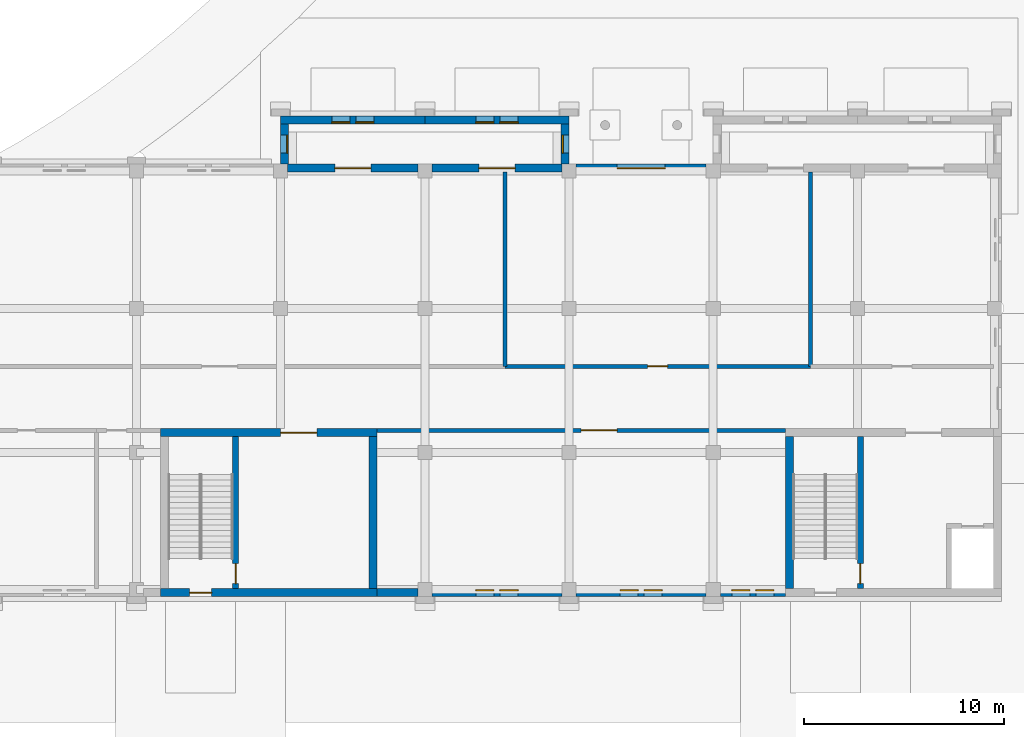
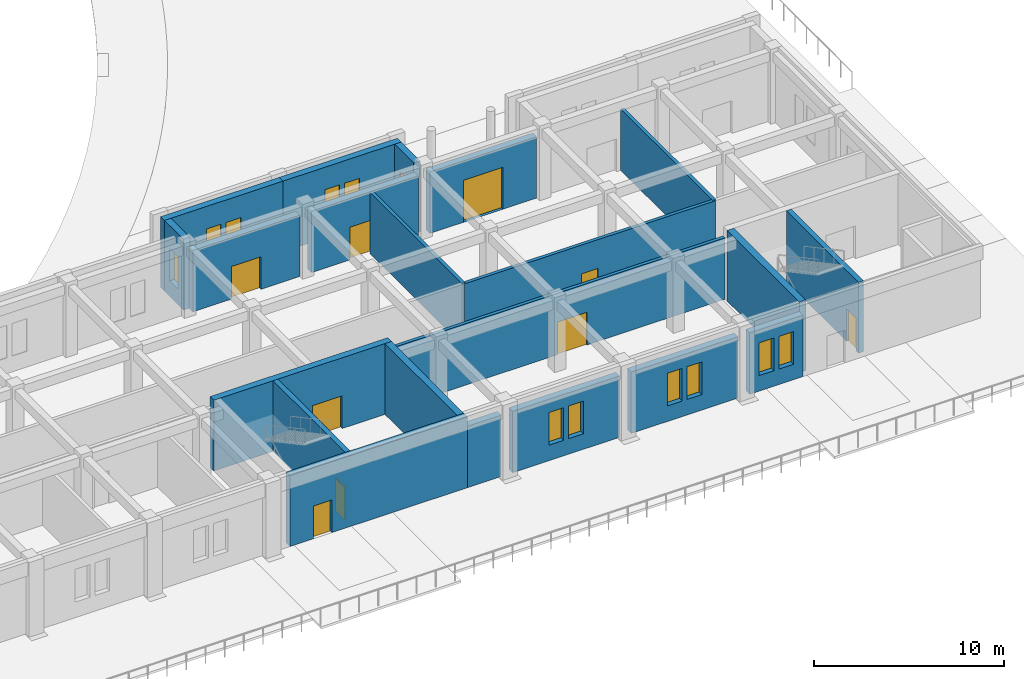
# One storey, part 92 of 131: 21 walls, 12 windows, 9 doors, 21 openings.
"""IFC4 building model written with IfcOpenShell, lengths in metres."""

from ifc_helpers import new_model, si_unit, direction, frame, frame_2d, origin, place, context, subcontext, project, spatial, rectangle, extrude, material, layer, layer_set, type_object, element, fill, save


model = new_model("IFC4")

# Units and contexts
model_context = context("Model", 3, precision=1e-05, world=origin(), true_north=direction((0.0, 1.0)))
body_context = subcontext(model_context, "Body", "Model", "MODEL_VIEW")
ifc_project = project(units=[si_unit("LENGTHUNIT", "METRE"), si_unit("AREAUNIT", "SQUARE_METRE"), si_unit("VOLUMEUNIT", "CUBIC_METRE"), si_unit("PLANEANGLEUNIT", "RADIAN"), si_unit("MASSUNIT", "GRAM", prefix="KILO")], contexts=[model_context])

# Site, building, storey
site_placement = place(None, origin())
site = spatial("IfcSite", under=ifc_project, at=site_placement, CompositionType="ELEMENT")
building_placement = place(site_placement, origin())
building = spatial("IfcBuilding", under=site, at=building_placement, Name="Alderwick Market Hall", CompositionType="ELEMENT")
storey_placement = place(building_placement, frame((0.0, 0.0, 4.800048828125)))
storey = spatial("IfcBuildingStorey", under=building, at=storey_placement, Name="L00", CompositionType="ELEMENT", Elevation=4.800048828125)

# Wall, opening, door
ifc_material_1 = material(Name="Concrete 5000 psi (f'c 35 MPa)", Category="concrete")
ifc_layer_1 = layer(ifc_material_1, 0.39990234375)
ifc_layer_set_1 = layer_set([ifc_layer_1], Name="Concrete 5000 psi (f'c 35 MPa)")
wall_type_1 = type_object("IfcWallType", Name="C Core Wall Concrete 5000 psi 400", PredefinedType="SHEAR", material=ifc_layer_set_1)
wall_1_placement = place(storey_placement, frame((199.199951171875, 7.39990234375, 0.0), z_axis=(0.0, 0.0, 1.0), x_axis=(-1.0, 0.0, 0.0)))
wall_1 = element("IfcWall", 1, at=wall_1_placement, inside=storey, type_object=wall_type_1, Name="C.wall.L00.fac.back.06", PredefinedType="SHEAR", context=body_context, shape_type="SweptSolid", body=[
    extrude(rectangle(XDim=10.800048828125, YDim=0.39990234375, at=frame_2d((5.39990234375, 0.0))), origin(), (0.0, 0.0, 1.0), 4.550048828125),
])
opening_1_placement = place(wall_1_placement, frame((8.25, 0.0, 0.0)))
opening_1 = element("IfcOpeningElement", 2, at=opening_1_placement, cuts=wall_1, Name="Opening C-D040", PredefinedType="OPENING", context=body_context, shape_type="SweptSolid", body=[
    extrude(rectangle(XDim=1.10009765625, YDim=2.10009765625, at=frame_2d((0.550048828125, 1.050048828125))), frame((0.0, 0.2099609375, 0.0), z_axis=(0.0, -1.0, 0.0), x_axis=(1.0, 0.0, 0.0)), (0.0, 0.0, 1.0), 0.419921875),
])
ifc_material_2 = material(Name="Steel, insulated", Category="steel")
door_type_1 = type_object("IfcDoorType", Name="C Exit Door FD60 1100x2100", OperationType="NOTDEFINED", PredefinedType="DOOR", material=ifc_material_2)
door_1_placement = place(opening_1_placement, origin())
door_1 = element("IfcDoor", 3, at=door_1_placement, inside=storey, type_object=door_type_1, Name="C.door.L00.040", OperationType="NOTDEFINED", OverallHeight=2.10009765625, OverallWidth=1.10009765625, PredefinedType="DOOR", context=body_context, shape_type="SweptSolid", body=[
    extrude(rectangle(XDim=1.10009765625, YDim=2.10009765625, at=frame_2d((0.550048828125, 1.050048828125))), frame((0.0, 0.02490234375, 0.0), z_axis=(0.0, -1.0, 0.0), x_axis=(1.0, 0.0, 0.0)), (0.0, 0.0, 1.0), 0.050048828125),
])
fill(opening_1, door_1)

wall_2_placement = place(storey_placement, frame((188.39990234375, 15.39990234375, 0.0), z_axis=(0.0, 0.0, 1.0), x_axis=(1.0, 0.0, 0.0)))
wall_2 = element("IfcWall", 4, at=wall_2_placement, inside=storey, type_object=wall_type_1, Name="C.wall.L00.core.B.front.01", PredefinedType="SHEAR", context=body_context, shape_type="SweptSolid", body=[
    extrude(rectangle(XDim=10.800048828125, YDim=0.39990234375, at=frame_2d((5.39990234375, 0.0))), origin(), (0.0, 0.0, 1.0), 4.550048828125),
])
opening_2_placement = place(wall_2_placement, frame((6.0, 0.0, 0.0)))
opening_2 = element("IfcOpeningElement", 5, at=opening_2_placement, cuts=wall_2, Name="Opening C-D039", PredefinedType="OPENING", context=body_context, shape_type="SweptSolid", body=[
    extrude(rectangle(XDim=1.800048828125, YDim=2.10009765625, at=frame_2d((0.89990234375, 1.050048828125))), frame((0.0, 0.2099609375, 0.0), z_axis=(0.0, -1.0, 0.0), x_axis=(1.0, 0.0, 0.0)), (0.0, 0.0, 1.0), 0.419921875),
])
door_type_2 = type_object("IfcDoorType", Name="C Fire Door Pair FD90 1800x2100", OperationType="NOTDEFINED", PredefinedType="DOOR", material=ifc_material_2)
door_2_placement = place(opening_2_placement, origin())
door_2 = element("IfcDoor", 6, at=door_2_placement, inside=storey, type_object=door_type_2, Name="C.door.L00.039", OperationType="NOTDEFINED", OverallHeight=2.10009765625, OverallWidth=1.800048828125, PredefinedType="DOOR", context=body_context, shape_type="SweptSolid", body=[
    extrude(rectangle(XDim=1.800048828125, YDim=2.10009765625, at=frame_2d((0.89990234375, 1.050048828125))), frame((0.0, 0.02490234375, 0.0), z_axis=(0.0, -1.0, 0.0), x_axis=(1.0, 0.0, 0.0)), (0.0, 0.0, 1.0), 0.050048828125),
])
fill(opening_2, door_2)

# Walls
for number, where, z_axis, x_axis, name in (
    (7, (199.0, 15.199951171875, 0.0), (0.0, 0.0, 1.0), (0.0, -1.0, 0.0), "C.wall.L00.core.B.east.01"),
    (8, (219.800048828125, 15.199951171875, 0.0), (0.0, 0.0, 1.0), (0.0, -1.0, 0.0), "C.wall.L00.core.C.west.01"),
):
    element("IfcWall", number, at=place(storey_placement, frame(where, z_axis=z_axis, x_axis=x_axis)), inside=storey, type_object=wall_type_1, Name=name, PredefinedType="SHEAR", context=body_context, shape_type="SweptSolid", body=[
        extrude(rectangle(XDim=7.599853515625, YDim=0.39990234375, at=frame_2d((3.7998046875, 0.0))), origin(), (0.0, 0.0, 1.0), 4.550048828125),
    ])

# Wall, opening, door
ifc_material_3 = material(Name="Gypsum board on steel studs", Category="steel")
ifc_layer_2 = layer(ifc_material_3, 0.199951171875)
ifc_layer_set_2 = layer_set([ifc_layer_2], Name="Gypsum board on steel studs")
wall_type_2 = type_object("IfcWallType", Name="C Fire Partition Wall 200", PredefinedType="PARTITIONING", material=ifc_layer_set_2)
wall_3_placement = place(storey_placement, frame((199.199951171875, 15.5, 0.0), z_axis=(0.0, 0.0, 1.0), x_axis=(1.0, 0.0, 0.0)))
wall_3 = element("IfcWall", 9, at=wall_3_placement, inside=storey, type_object=wall_type_2, Name="C.wall.L00.part.009", PredefinedType="PARTITIONING", context=body_context, shape_type="SweptSolid", body=[
    extrude(rectangle(XDim=20.400146484375, YDim=0.199951171875, at=frame_2d((10.2001953125, 0.0))), origin(), (0.0, 0.0, 1.0), 3.949951171875),
])
opening_3_placement = place(wall_3_placement, frame((10.199951171875, 0.0, 0.0)))
opening_3 = element("IfcOpeningElement", 10, at=opening_3_placement, cuts=wall_3, Name="Opening C-D053", PredefinedType="OPENING", context=body_context, shape_type="SweptSolid", body=[
    extrude(rectangle(XDim=1.800048828125, YDim=2.10009765625, at=frame_2d((0.89990234375, 1.050048828125))), frame((0.0, 0.10986328125, 0.0), z_axis=(0.0, -1.0, 0.0), x_axis=(1.0, 0.0, 0.0)), (0.0, 0.0, 1.0), 0.219970703125),
])
door_type_3 = type_object("IfcDoorType", Name="C Fire Door Pair FD60 1800x2100", OperationType="NOTDEFINED", PredefinedType="DOOR", material=ifc_material_2)
door_3_placement = place(opening_3_placement, origin())
door_3 = element("IfcDoor", 11, at=door_3_placement, inside=storey, type_object=door_type_3, Name="C.door.L00.053", OperationType="NOTDEFINED", OverallHeight=2.10009765625, OverallWidth=1.800048828125, PredefinedType="DOOR", context=body_context, shape_type="SweptSolid", body=[
    extrude(rectangle(XDim=1.800048828125, YDim=2.10009765625, at=frame_2d((0.89990234375, 1.050048828125))), frame((0.0, 0.02490234375, 0.0), z_axis=(0.0, -1.0, 0.0), x_axis=(1.0, 0.0, 0.0)), (0.0, 0.0, 1.0), 0.050048828125),
])
fill(opening_3, door_3)

ifc_layer_3 = layer(ifc_material_3, 0.199951171875)
ifc_layer_set_3 = layer_set([ifc_layer_3], Name="Gypsum board on steel studs")
wall_type_3 = type_object("IfcWallType", Name="C Partition Wall 200", PredefinedType="PARTITIONING", material=ifc_layer_set_3)
wall_4_placement = place(storey_placement, frame((205.60009765625, 18.699951171875, 0.0), z_axis=(0.0, 0.0, 1.0), x_axis=(1.0, 0.0, 0.0)))
wall_4 = element("IfcWall", 12, at=wall_4_placement, inside=storey, type_object=wall_type_3, Name="C.wall.L00.part.003", PredefinedType="PARTITIONING", context=body_context, shape_type="SweptSolid", body=[
    extrude(rectangle(XDim=15.25, YDim=0.199951171875, at=frame_2d((7.625, 0.0))), origin(), (0.0, 0.0, 1.0), 3.949951171875),
])
opening_4_placement = place(wall_4_placement, frame((7.125, 0.0, 0.0)))
opening_4 = element("IfcOpeningElement", 13, at=opening_4_placement, cuts=wall_4, Name="Opening C-D047", PredefinedType="OPENING", context=body_context, shape_type="SweptSolid", body=[
    extrude(rectangle(XDim=1.0, YDim=2.10009765625, at=frame_2d((0.5, 1.050048828125))), frame((0.0, 0.10986328125, 0.0), z_axis=(0.0, -1.0, 0.0), x_axis=(1.0, 0.0, 0.0)), (0.0, 0.0, 1.0), 0.219970703125),
])
ifc_material_4 = material(Name="Timber, solid core", Category="wood")
door_type_4 = type_object("IfcDoorType", Name="C Door 1000x2100", OperationType="NOTDEFINED", PredefinedType="DOOR", material=ifc_material_4)
door_4_placement = place(opening_4_placement, origin())
door_4 = element("IfcDoor", 14, at=door_4_placement, inside=storey, type_object=door_type_4, Name="C.door.L00.047", OperationType="NOTDEFINED", OverallHeight=2.10009765625, OverallWidth=1.0, PredefinedType="DOOR", context=body_context, shape_type="SweptSolid", body=[
    extrude(rectangle(XDim=1.0, YDim=2.10009765625, at=frame_2d((0.5, 1.050048828125))), frame((0.0, 0.02490234375, 0.0), z_axis=(0.0, -1.0, 0.0), x_axis=(1.0, 0.0, 0.0)), (0.0, 0.0, 1.0), 0.050048828125),
])
fill(opening_4, door_4)

# Walls
for number, where, z_axis, x_axis, name in (
    (15, (205.60009765625, 28.39990234375, 0.0), (0.0, 0.0, 1.0), (0.0, -1.0, 0.0), "C.wall.L00.part.014"),
    (16, (220.85009765625, 28.39990234375, 0.0), (0.0, 0.0, 1.0), (0.0, -1.0, 0.0), "C.wall.L00.part.015"),
):
    element("IfcWall", number, at=place(storey_placement, frame(where, z_axis=z_axis, x_axis=x_axis)), inside=storey, type_object=wall_type_3, Name=name, PredefinedType="PARTITIONING", context=body_context, shape_type="SweptSolid", body=[
        extrude(rectangle(XDim=9.699951171875, YDim=0.199951171875, at=frame_2d((4.85009765625, 0.0))), origin(), (0.0, 0.0, 1.0), 3.949951171875),
    ])

# Wall, opening, door
ifc_material_5 = material(Name="Cast stone 5000 psi", Category="masonry")
ifc_layer_4 = layer(ifc_material_5, 0.39990234375)
ifc_layer_set_4 = layer_set([ifc_layer_4], Name="Cast stone 5000 psi")
wall_type_4 = type_object("IfcWallType", Name="C Rusticated Cast Stone Wall 400", PredefinedType="SOLIDWALL", material=ifc_layer_set_4)
wall_5_placement = place(storey_placement, frame((194.75, 28.60009765625, 0.0), z_axis=(0.0, 0.0, 1.0), x_axis=(1.0, 0.0, 0.0)))
wall_5 = element("IfcWall", 17, at=wall_5_placement, inside=storey, type_object=wall_type_4, Name="C.wall.L00.fac.front.06", PredefinedType="SOLIDWALL", context=body_context, shape_type="SweptSolid", body=[
    extrude(rectangle(XDim=6.5, YDim=0.39990234375, at=frame_2d((3.25, 0.0))), origin(), (0.0, 0.0, 1.0), 3.949951171875),
])
opening_5_placement = place(wall_5_placement, frame((2.35009765625, 0.0, 0.0)))
opening_5 = element("IfcOpeningElement", 18, at=opening_5_placement, cuts=wall_5, Name="Opening C-D003", PredefinedType="OPENING", context=body_context, shape_type="SweptSolid", body=[
    extrude(rectangle(XDim=1.800048828125, YDim=2.10009765625, at=frame_2d((0.89990234375, 1.050048828125))), frame((0.0, 0.2099609375, 0.0), z_axis=(0.0, -1.0, 0.0), x_axis=(1.0, 0.0, 0.0)), (0.0, 0.0, 1.0), 0.419921875),
])
door_type_5 = type_object("IfcDoorType", Name="C Door Pair 1800x2100", OperationType="NOTDEFINED", PredefinedType="DOOR", material=ifc_material_4)
door_5_placement = place(opening_5_placement, origin())
door_5 = element("IfcDoor", 19, at=door_5_placement, inside=storey, type_object=door_type_5, Name="C.door.L00.003", OperationType="NOTDEFINED", OverallHeight=2.10009765625, OverallWidth=1.800048828125, PredefinedType="DOOR", context=body_context, shape_type="SweptSolid", body=[
    extrude(rectangle(XDim=1.800048828125, YDim=2.10009765625, at=frame_2d((0.89990234375, 1.050048828125))), frame((0.0, 0.02490234375, 0.0), z_axis=(0.0, -1.0, 0.0), x_axis=(1.0, 0.0, 0.0)), (0.0, 0.0, 1.0), 0.050048828125),
])
fill(opening_5, door_5)

wall_6_placement = place(storey_placement, frame((201.949951171875, 28.60009765625, 0.0), z_axis=(0.0, 0.0, 1.0), x_axis=(1.0, 0.0, 0.0)))
wall_6 = element("IfcWall", 20, at=wall_6_placement, inside=storey, type_object=wall_type_4, Name="C.wall.L00.fac.front.07", PredefinedType="SOLIDWALL", context=body_context, shape_type="SweptSolid", body=[
    extrude(rectangle(XDim=6.5, YDim=0.39990234375, at=frame_2d((3.25, 0.0))), origin(), (0.0, 0.0, 1.0), 3.949951171875),
])
opening_6_placement = place(wall_6_placement, frame((2.35009765625, 0.0, 0.0)))
opening_6 = element("IfcOpeningElement", 21, at=opening_6_placement, cuts=wall_6, Name="Opening C-D004", PredefinedType="OPENING", context=body_context, shape_type="SweptSolid", body=[
    extrude(rectangle(XDim=1.800048828125, YDim=2.10009765625, at=frame_2d((0.89990234375, 1.050048828125))), frame((0.0, 0.2099609375, 0.0), z_axis=(0.0, -1.0, 0.0), x_axis=(1.0, 0.0, 0.0)), (0.0, 0.0, 1.0), 0.419921875),
])
door_6_placement = place(opening_6_placement, origin())
door_6 = element("IfcDoor", 22, at=door_6_placement, inside=storey, type_object=door_type_5, Name="C.door.L00.004", OperationType="NOTDEFINED", OverallHeight=2.10009765625, OverallWidth=1.800048828125, PredefinedType="DOOR", context=body_context, shape_type="SweptSolid", body=[
    extrude(rectangle(XDim=1.800048828125, YDim=2.10009765625, at=frame_2d((0.89990234375, 1.050048828125))), frame((0.0, 0.02490234375, 0.0), z_axis=(0.0, -1.0, 0.0), x_axis=(1.0, 0.0, 0.0)), (0.0, 0.0, 1.0), 0.050048828125),
])
fill(opening_6, door_6)

wall_7_placement = place(storey_placement, frame((209.14990234375, 28.60009765625, 0.0), z_axis=(0.0, 0.0, 1.0), x_axis=(1.0, 0.0, 0.0)))
wall_7 = element("IfcWall", 23, at=wall_7_placement, inside=storey, type_object=wall_type_4, Name="C.wall.L00.fac.front.08", PredefinedType="SOLIDWALL", context=body_context, shape_type="SweptSolid", body=[
    extrude(rectangle(XDim=6.5, YDim=0.39990234375, at=frame_2d((3.25, 0.0))), origin(), (0.0, 0.0, 1.0), 3.949951171875),
])
opening_7_placement = place(wall_7_placement, frame((2.050048828125, 0.0, 0.0)))
opening_7 = element("IfcOpeningElement", 24, at=opening_7_placement, cuts=wall_7, Name="Opening C-D005", PredefinedType="OPENING", context=body_context, shape_type="SweptSolid", body=[
    extrude(rectangle(XDim=2.39990234375, YDim=2.699951171875, at=frame_2d((1.199951171875, 1.35009765625))), frame((0.0, 0.2099609375, 0.0), z_axis=(0.0, -1.0, 0.0), x_axis=(1.0, 0.0, 0.0)), (0.0, 0.0, 1.0), 0.419921875),
])
ifc_material_6 = material(Name="Aluminium, glazed", Category="aluminium")
door_type_6 = type_object("IfcDoorType", Name="C Entrance Door Pair 2400x2700", OperationType="NOTDEFINED", PredefinedType="DOOR", material=ifc_material_6)
door_7_placement = place(opening_7_placement, origin())
door_7 = element("IfcDoor", 25, at=door_7_placement, inside=storey, type_object=door_type_6, Name="C.door.L00.005", OperationType="NOTDEFINED", OverallHeight=2.699951171875, OverallWidth=2.39990234375, PredefinedType="DOOR", context=body_context, shape_type="SweptSolid", body=[
    extrude(rectangle(XDim=2.39990234375, YDim=2.699951171875, at=frame_2d((1.199951171875, 1.35009765625))), frame((0.0, 0.02490234375, 0.0), z_axis=(0.0, -1.0, 0.0), x_axis=(1.0, 0.0, 0.0)), (0.0, 0.0, 1.0), 0.050048828125),
])
fill(opening_7, door_7)

# Wall
wall_8_placement = place(storey_placement, frame((201.25, 7.39990234375, 0.0), z_axis=(0.0, 0.0, 1.0), x_axis=(-1.0, 0.0, 0.0)))
element("IfcWall", 26, at=wall_8_placement, inside=storey, type_object=wall_type_4, Name="C.wall.L00.fac.back.07", PredefinedType="SOLIDWALL", context=body_context, shape_type="SweptSolid", body=[
    extrude(rectangle(XDim=2.050048828125, YDim=0.39990234375, at=frame_2d((1.02490234375, 0.0))), origin(), (0.0, 0.0, 1.0), 3.949951171875),
])

# Wall, openings, windows
wall_9_placement = place(storey_placement, frame((208.449951171875, 7.39990234375, 0.0), z_axis=(0.0, 0.0, 1.0), x_axis=(-1.0, 0.0, 0.0)))
wall_9 = element("IfcWall", 27, at=wall_9_placement, inside=storey, type_object=wall_type_4, Name="C.wall.L00.fac.back.08", PredefinedType="SOLIDWALL", context=body_context, shape_type="SweptSolid", body=[
    extrude(rectangle(XDim=6.5, YDim=0.39990234375, at=frame_2d((3.25, 0.0))), origin(), (0.0, 0.0, 1.0), 3.949951171875),
])
opening_8_placement = place(wall_9_placement, frame((2.199951171875, 0.0, 1.0)))
opening_8 = element("IfcOpeningElement", 28, at=opening_8_placement, cuts=wall_9, Name="Opening C-W016", PredefinedType="OPENING", context=body_context, shape_type="SweptSolid", body=[
    extrude(rectangle(XDim=0.89990234375, YDim=2.10009765625, at=frame_2d((0.449951171875, 1.050048828125))), frame((0.0, 0.2099609375, 0.0), z_axis=(0.0, -1.0, 0.0), x_axis=(1.0, 0.0, 0.0)), (0.0, 0.0, 1.0), 0.419921875),
])
opening_9_placement = place(wall_9_placement, frame((3.39990234375, 0.0, 1.0)))
opening_9 = element("IfcOpeningElement", 29, at=opening_9_placement, cuts=wall_9, Name="Opening C-W017", PredefinedType="OPENING", context=body_context, shape_type="SweptSolid", body=[
    extrude(rectangle(XDim=0.89990234375, YDim=2.10009765625, at=frame_2d((0.449951171875, 1.050048828125))), frame((0.0, 0.2099609375, 0.0), z_axis=(0.0, -1.0, 0.0), x_axis=(1.0, 0.0, 0.0)), (0.0, 0.0, 1.0), 0.419921875),
])
ifc_material_7 = material(Name="Aluminium frame, double glazing", Category="aluminium")
window_type = type_object("IfcWindowType", Name="C Paired Base Window 900x2100", PartitioningType="SINGLE_PANEL", PredefinedType="WINDOW", material=ifc_material_7)
window_1_placement = place(opening_8_placement, origin())
window_1 = element("IfcWindow", 30, at=window_1_placement, inside=storey, type_object=window_type, Name="C.win.L00.016", OverallHeight=2.10009765625, OverallWidth=0.89990234375, PartitioningType="SINGLE_PANEL", PredefinedType="WINDOW", context=body_context, shape_type="SweptSolid", body=[
    extrude(rectangle(XDim=0.89990234375, YDim=2.10009765625, at=frame_2d((0.449951171875, 1.050048828125))), frame((0.0, -0.090087890625, 0.0), z_axis=(0.0, -1.0, 0.0), x_axis=(1.0, 0.0, 0.0)), (0.0, 0.0, 1.0), 0.06005859375),
])
fill(opening_8, window_1)
window_2_placement = place(opening_9_placement, origin())
window_2 = element("IfcWindow", 31, at=window_2_placement, inside=storey, type_object=window_type, Name="C.win.L00.017", OverallHeight=2.10009765625, OverallWidth=0.89990234375, PartitioningType="SINGLE_PANEL", PredefinedType="WINDOW", context=body_context, shape_type="SweptSolid", body=[
    extrude(rectangle(XDim=0.89990234375, YDim=2.10009765625, at=frame_2d((0.449951171875, 1.050048828125))), frame((0.0, -0.090087890625, 0.0), z_axis=(0.0, -1.0, 0.0), x_axis=(1.0, 0.0, 0.0)), (0.0, 0.0, 1.0), 0.06005859375),
])
fill(opening_9, window_2)

wall_10_placement = place(storey_placement, frame((215.64990234375, 7.39990234375, 0.0), z_axis=(0.0, 0.0, 1.0), x_axis=(-1.0, 0.0, 0.0)))
wall_10 = element("IfcWall", 32, at=wall_10_placement, inside=storey, type_object=wall_type_4, Name="C.wall.L00.fac.back.09", PredefinedType="SOLIDWALL", context=body_context, shape_type="SweptSolid", body=[
    extrude(rectangle(XDim=6.5, YDim=0.39990234375, at=frame_2d((3.25, 0.0))), origin(), (0.0, 0.0, 1.0), 3.949951171875),
])
opening_10_placement = place(wall_10_placement, frame((2.199951171875, 0.0, 1.0)))
opening_10 = element("IfcOpeningElement", 33, at=opening_10_placement, cuts=wall_10, Name="Opening C-W018", PredefinedType="OPENING", context=body_context, shape_type="SweptSolid", body=[
    extrude(rectangle(XDim=0.89990234375, YDim=2.10009765625, at=frame_2d((0.449951171875, 1.050048828125))), frame((0.0, 0.2099609375, 0.0), z_axis=(0.0, -1.0, 0.0), x_axis=(1.0, 0.0, 0.0)), (0.0, 0.0, 1.0), 0.419921875),
])
opening_11_placement = place(wall_10_placement, frame((3.39990234375, 0.0, 1.0)))
opening_11 = element("IfcOpeningElement", 34, at=opening_11_placement, cuts=wall_10, Name="Opening C-W019", PredefinedType="OPENING", context=body_context, shape_type="SweptSolid", body=[
    extrude(rectangle(XDim=0.89990234375, YDim=2.10009765625, at=frame_2d((0.449951171875, 1.050048828125))), frame((0.0, 0.2099609375, 0.0), z_axis=(0.0, -1.0, 0.0), x_axis=(1.0, 0.0, 0.0)), (0.0, 0.0, 1.0), 0.419921875),
])
window_3_placement = place(opening_10_placement, origin())
window_3 = element("IfcWindow", 35, at=window_3_placement, inside=storey, type_object=window_type, Name="C.win.L00.018", OverallHeight=2.10009765625, OverallWidth=0.89990234375, PartitioningType="SINGLE_PANEL", PredefinedType="WINDOW", context=body_context, shape_type="SweptSolid", body=[
    extrude(rectangle(XDim=0.89990234375, YDim=2.10009765625, at=frame_2d((0.449951171875, 1.050048828125))), frame((0.0, -0.090087890625, 0.0), z_axis=(0.0, -1.0, 0.0), x_axis=(1.0, 0.0, 0.0)), (0.0, 0.0, 1.0), 0.06005859375),
])
fill(opening_10, window_3)
window_4_placement = place(opening_11_placement, origin())
window_4 = element("IfcWindow", 36, at=window_4_placement, inside=storey, type_object=window_type, Name="C.win.L00.019", OverallHeight=2.10009765625, OverallWidth=0.89990234375, PartitioningType="SINGLE_PANEL", PredefinedType="WINDOW", context=body_context, shape_type="SweptSolid", body=[
    extrude(rectangle(XDim=0.89990234375, YDim=2.10009765625, at=frame_2d((0.449951171875, 1.050048828125))), frame((0.0, -0.090087890625, 0.0), z_axis=(0.0, -1.0, 0.0), x_axis=(1.0, 0.0, 0.0)), (0.0, 0.0, 1.0), 0.06005859375),
])
fill(opening_11, window_4)

wall_11_placement = place(storey_placement, frame((219.60009765625, 7.39990234375, 0.0), z_axis=(0.0, 0.0, 1.0), x_axis=(-1.0, 0.0, 0.0)))
wall_11 = element("IfcWall", 37, at=wall_11_placement, inside=storey, type_object=wall_type_4, Name="C.wall.L00.fac.back.10", PredefinedType="SOLIDWALL", context=body_context, shape_type="SweptSolid", body=[
    extrude(rectangle(XDim=3.25, YDim=0.39990234375, at=frame_2d((1.625, 0.0))), origin(), (0.0, 0.0, 1.0), 3.949951171875),
])
opening_12_placement = place(wall_11_placement, frame((0.574951171875, 0.0, 1.0)))
opening_12 = element("IfcOpeningElement", 38, at=opening_12_placement, cuts=wall_11, Name="Opening C-W020", PredefinedType="OPENING", context=body_context, shape_type="SweptSolid", body=[
    extrude(rectangle(XDim=0.89990234375, YDim=2.10009765625, at=frame_2d((0.449951171875, 1.050048828125))), frame((0.0, 0.2099609375, 0.0), z_axis=(0.0, -1.0, 0.0), x_axis=(1.0, 0.0, 0.0)), (0.0, 0.0, 1.0), 0.419921875),
])
opening_13_placement = place(wall_11_placement, frame((1.77490234375, 0.0, 1.0)))
opening_13 = element("IfcOpeningElement", 39, at=opening_13_placement, cuts=wall_11, Name="Opening C-W021", PredefinedType="OPENING", context=body_context, shape_type="SweptSolid", body=[
    extrude(rectangle(XDim=0.89990234375, YDim=2.10009765625, at=frame_2d((0.449951171875, 1.050048828125))), frame((0.0, 0.2099609375, 0.0), z_axis=(0.0, -1.0, 0.0), x_axis=(1.0, 0.0, 0.0)), (0.0, 0.0, 1.0), 0.419921875),
])
window_5_placement = place(opening_12_placement, origin())
window_5 = element("IfcWindow", 40, at=window_5_placement, inside=storey, type_object=window_type, Name="C.win.L00.020", OverallHeight=2.10009765625, OverallWidth=0.89990234375, PartitioningType="SINGLE_PANEL", PredefinedType="WINDOW", context=body_context, shape_type="SweptSolid", body=[
    extrude(rectangle(XDim=0.89990234375, YDim=2.10009765625, at=frame_2d((0.449951171875, 1.050048828125))), frame((0.0, -0.090087890625, 0.0), z_axis=(0.0, -1.0, 0.0), x_axis=(1.0, 0.0, 0.0)), (0.0, 0.0, 1.0), 0.06005859375),
])
fill(opening_12, window_5)
window_6_placement = place(opening_13_placement, origin())
window_6 = element("IfcWindow", 41, at=window_6_placement, inside=storey, type_object=window_type, Name="C.win.L00.021", OverallHeight=2.10009765625, OverallWidth=0.89990234375, PartitioningType="SINGLE_PANEL", PredefinedType="WINDOW", context=body_context, shape_type="SweptSolid", body=[
    extrude(rectangle(XDim=0.89990234375, YDim=2.10009765625, at=frame_2d((0.449951171875, 1.050048828125))), frame((0.0, -0.090087890625, 0.0), z_axis=(0.0, -1.0, 0.0), x_axis=(1.0, 0.0, 0.0)), (0.0, 0.0, 1.0), 0.06005859375),
])
fill(opening_13, window_6)

wall_12_placement = place(storey_placement, frame((194.39990234375, 31.0, 0.0), z_axis=(0.0, 0.0, 1.0), x_axis=(1.0, 0.0, 0.0)))
wall_12 = element("IfcWall", 42, at=wall_12_placement, inside=storey, type_object=wall_type_4, Name="C.wall.L00.pav1.front.01", PredefinedType="SOLIDWALL", context=body_context, shape_type="SweptSolid", body=[
    extrude(rectangle(XDim=7.2001953125, YDim=0.39990234375, at=frame_2d((3.60009765625, 0.0))), origin(), (0.0, 0.0, 1.0), 4.550048828125),
])
opening_14_placement = place(wall_12_placement, frame((2.550048828125, 0.0, 1.0)))
opening_14 = element("IfcOpeningElement", 43, at=opening_14_placement, cuts=wall_12, Name="Opening C-W070", PredefinedType="OPENING", context=body_context, shape_type="SweptSolid", body=[
    extrude(rectangle(XDim=0.89990234375, YDim=2.10009765625, at=frame_2d((0.449951171875, 1.050048828125))), frame((0.0, 0.2099609375, 0.0), z_axis=(0.0, -1.0, 0.0), x_axis=(1.0, 0.0, 0.0)), (0.0, 0.0, 1.0), 0.419921875),
])
opening_15_placement = place(wall_12_placement, frame((3.75, 0.0, 1.0)))
opening_15 = element("IfcOpeningElement", 44, at=opening_15_placement, cuts=wall_12, Name="Opening C-W071", PredefinedType="OPENING", context=body_context, shape_type="SweptSolid", body=[
    extrude(rectangle(XDim=0.89990234375, YDim=2.10009765625, at=frame_2d((0.449951171875, 1.050048828125))), frame((0.0, 0.2099609375, 0.0), z_axis=(0.0, -1.0, 0.0), x_axis=(1.0, 0.0, 0.0)), (0.0, 0.0, 1.0), 0.419921875),
])
window_7_placement = place(opening_14_placement, origin())
window_7 = element("IfcWindow", 45, at=window_7_placement, inside=storey, type_object=window_type, Name="C.win.L00.070", OverallHeight=2.10009765625, OverallWidth=0.89990234375, PartitioningType="SINGLE_PANEL", PredefinedType="WINDOW", context=body_context, shape_type="SweptSolid", body=[
    extrude(rectangle(XDim=0.89990234375, YDim=2.10009765625, at=frame_2d((0.449951171875, 1.050048828125))), frame((0.0, -0.090087890625, 0.0), z_axis=(0.0, -1.0, 0.0), x_axis=(1.0, 0.0, 0.0)), (0.0, 0.0, 1.0), 0.06005859375),
])
fill(opening_14, window_7)
window_8_placement = place(opening_15_placement, origin())
window_8 = element("IfcWindow", 46, at=window_8_placement, inside=storey, type_object=window_type, Name="C.win.L00.071", OverallHeight=2.10009765625, OverallWidth=0.89990234375, PartitioningType="SINGLE_PANEL", PredefinedType="WINDOW", context=body_context, shape_type="SweptSolid", body=[
    extrude(rectangle(XDim=0.89990234375, YDim=2.10009765625, at=frame_2d((0.449951171875, 1.050048828125))), frame((0.0, -0.090087890625, 0.0), z_axis=(0.0, -1.0, 0.0), x_axis=(1.0, 0.0, 0.0)), (0.0, 0.0, 1.0), 0.06005859375),
])
fill(opening_15, window_8)

wall_13_placement = place(storey_placement, frame((201.60009765625, 31.0, 0.0), z_axis=(0.0, 0.0, 1.0), x_axis=(1.0, 0.0, 0.0)))
wall_13 = element("IfcWall", 47, at=wall_13_placement, inside=storey, type_object=wall_type_4, Name="C.wall.L00.pav1.front.02", PredefinedType="SOLIDWALL", context=body_context, shape_type="SweptSolid", body=[
    extrude(rectangle(XDim=7.199951171875, YDim=0.39990234375, at=frame_2d((3.60009765625, 0.0))), origin(), (0.0, 0.0, 1.0), 4.550048828125),
])
opening_16_placement = place(wall_13_placement, frame((2.550048828125, 0.0, 1.0)))
opening_16 = element("IfcOpeningElement", 48, at=opening_16_placement, cuts=wall_13, Name="Opening C-W072", PredefinedType="OPENING", context=body_context, shape_type="SweptSolid", body=[
    extrude(rectangle(XDim=0.89990234375, YDim=2.10009765625, at=frame_2d((0.449951171875, 1.050048828125))), frame((0.0, 0.2099609375, 0.0), z_axis=(0.0, -1.0, 0.0), x_axis=(1.0, 0.0, 0.0)), (0.0, 0.0, 1.0), 0.419921875),
])
opening_17_placement = place(wall_13_placement, frame((3.75, 0.0, 1.0)))
opening_17 = element("IfcOpeningElement", 49, at=opening_17_placement, cuts=wall_13, Name="Opening C-W073", PredefinedType="OPENING", context=body_context, shape_type="SweptSolid", body=[
    extrude(rectangle(XDim=0.89990234375, YDim=2.10009765625, at=frame_2d((0.449951171875, 1.050048828125))), frame((0.0, 0.2099609375, 0.0), z_axis=(0.0, -1.0, 0.0), x_axis=(1.0, 0.0, 0.0)), (0.0, 0.0, 1.0), 0.419921875),
])
window_9_placement = place(opening_16_placement, origin())
window_9 = element("IfcWindow", 50, at=window_9_placement, inside=storey, type_object=window_type, Name="C.win.L00.072", OverallHeight=2.10009765625, OverallWidth=0.89990234375, PartitioningType="SINGLE_PANEL", PredefinedType="WINDOW", context=body_context, shape_type="SweptSolid", body=[
    extrude(rectangle(XDim=0.89990234375, YDim=2.10009765625, at=frame_2d((0.449951171875, 1.050048828125))), frame((0.0, -0.090087890625, 0.0), z_axis=(0.0, -1.0, 0.0), x_axis=(1.0, 0.0, 0.0)), (0.0, 0.0, 1.0), 0.06005859375),
])
fill(opening_16, window_9)
window_10_placement = place(opening_17_placement, origin())
window_10 = element("IfcWindow", 51, at=window_10_placement, inside=storey, type_object=window_type, Name="C.win.L00.073", OverallHeight=2.10009765625, OverallWidth=0.89990234375, PartitioningType="SINGLE_PANEL", PredefinedType="WINDOW", context=body_context, shape_type="SweptSolid", body=[
    extrude(rectangle(XDim=0.89990234375, YDim=2.10009765625, at=frame_2d((0.449951171875, 1.050048828125))), frame((0.0, -0.090087890625, 0.0), z_axis=(0.0, -1.0, 0.0), x_axis=(1.0, 0.0, 0.0)), (0.0, 0.0, 1.0), 0.06005859375),
])
fill(opening_17, window_10)

# Wall, opening, window
wall_14_placement = place(storey_placement, frame((194.60009765625, 28.800048828125, 0.0), z_axis=(0.0, 0.0, 1.0), x_axis=(0.0, 1.0, 0.0)))
wall_14 = element("IfcWall", 52, at=wall_14_placement, inside=storey, type_object=wall_type_4, Name="C.wall.L00.pav1.west.01", PredefinedType="SOLIDWALL", context=body_context, shape_type="SweptSolid", body=[
    extrude(rectangle(XDim=2.0, YDim=0.39990234375, at=frame_2d((1.0, 0.0))), origin(), (0.0, 0.0, 1.0), 4.550048828125),
])
opening_18_placement = place(wall_14_placement, frame((0.550048828125, 0.0, 1.0)))
opening_18 = element("IfcOpeningElement", 53, at=opening_18_placement, cuts=wall_14, Name="Opening C-W074", PredefinedType="OPENING", context=body_context, shape_type="SweptSolid", body=[
    extrude(rectangle(XDim=0.89990234375, YDim=2.10009765625, at=frame_2d((0.449951171875, 1.050048828125))), frame((0.0, 0.2099609375, 0.0), z_axis=(0.0, -1.0, 0.0), x_axis=(1.0, 0.0, 0.0)), (0.0, 0.0, 1.0), 0.419921875),
])
window_11_placement = place(opening_18_placement, origin())
window_11 = element("IfcWindow", 54, at=window_11_placement, inside=storey, type_object=window_type, Name="C.win.L00.074", OverallHeight=2.10009765625, OverallWidth=0.89990234375, PartitioningType="SINGLE_PANEL", PredefinedType="WINDOW", context=body_context, shape_type="SweptSolid", body=[
    extrude(rectangle(XDim=0.89990234375, YDim=2.10009765625, at=frame_2d((0.449951171875, 1.050048828125))), frame((0.0, -0.090087890625, 0.0), z_axis=(0.0, -1.0, 0.0), x_axis=(1.0, 0.0, 0.0)), (0.0, 0.0, 1.0), 0.06005859375),
])
fill(opening_18, window_11)

wall_15_placement = place(storey_placement, frame((208.60009765625, 30.800048828125, 0.0), z_axis=(0.0, 0.0, 1.0), x_axis=(0.0, -1.0, 0.0)))
wall_15 = element("IfcWall", 55, at=wall_15_placement, inside=storey, type_object=wall_type_4, Name="C.wall.L00.pav1.east.01", PredefinedType="SOLIDWALL", context=body_context, shape_type="SweptSolid", body=[
    extrude(rectangle(XDim=2.0, YDim=0.39990234375, at=frame_2d((1.0, 0.0))), origin(), (0.0, 0.0, 1.0), 4.550048828125),
])
opening_19_placement = place(wall_15_placement, frame((0.550048828125, 0.0, 1.0)))
opening_19 = element("IfcOpeningElement", 56, at=opening_19_placement, cuts=wall_15, Name="Opening C-W075", PredefinedType="OPENING", context=body_context, shape_type="SweptSolid", body=[
    extrude(rectangle(XDim=0.89990234375, YDim=2.10009765625, at=frame_2d((0.449951171875, 1.050048828125))), frame((0.0, 0.2099609375, 0.0), z_axis=(0.0, -1.0, 0.0), x_axis=(1.0, 0.0, 0.0)), (0.0, 0.0, 1.0), 0.419921875),
])
window_12_placement = place(opening_19_placement, origin())
window_12 = element("IfcWindow", 57, at=window_12_placement, inside=storey, type_object=window_type, Name="C.win.L00.075", OverallHeight=2.10009765625, OverallWidth=0.89990234375, PartitioningType="SINGLE_PANEL", PredefinedType="WINDOW", context=body_context, shape_type="SweptSolid", body=[
    extrude(rectangle(XDim=0.89990234375, YDim=2.10009765625, at=frame_2d((0.449951171875, 1.050048828125))), frame((0.0, -0.090087890625, 0.0), z_axis=(0.0, -1.0, 0.0), x_axis=(1.0, 0.0, 0.0)), (0.0, 0.0, 1.0), 0.06005859375),
])
fill(opening_19, window_12)

# Wall, opening, door
ifc_layer_5 = layer(ifc_material_1, 0.300048828125)
ifc_layer_set_5 = layer_set([ifc_layer_5], Name="Concrete 5000 psi (f'c 35 MPa)")
wall_type_5 = type_object("IfcWallType", Name="C Stair Divider Wall Concrete 5000 psi 300", PredefinedType="SHEAR", material=ifc_layer_set_5)
wall_16_placement = place(storey_placement, frame((192.14990234375, 15.199951171875, 0.0), z_axis=(0.0, 0.0, 1.0), x_axis=(0.0, -1.0, 0.0)))
wall_16 = element("IfcWall", 58, at=wall_16_placement, inside=storey, type_object=wall_type_5, Name="C.wall.L00.core.B.div.01", PredefinedType="SHEAR", context=body_context, shape_type="SweptSolid", body=[
    extrude(rectangle(XDim=7.599853515625, YDim=0.300048828125, at=frame_2d((3.7998046875, 0.0))), origin(), (0.0, 0.0, 1.0), 4.550048828125),
])
opening_20_placement = place(wall_16_placement, frame((6.35009765625, 0.0, 0.0)))
opening_20 = element("IfcOpeningElement", 59, at=opening_20_placement, cuts=wall_16, Name="Opening C-D038", PredefinedType="OPENING", context=body_context, shape_type="SweptSolid", body=[
    extrude(rectangle(XDim=1.0, YDim=2.10009765625, at=frame_2d((0.5, 1.050048828125))), frame((0.0, 0.159912109375, 0.0), z_axis=(0.0, -1.0, 0.0), x_axis=(1.0, 0.0, 0.0)), (0.0, 0.0, 1.0), 0.320068359375),
])
door_type_7 = type_object("IfcDoorType", Name="C Fire Door FD90 1000x2100", OperationType="NOTDEFINED", PredefinedType="DOOR", material=ifc_material_2)
door_8_placement = place(opening_20_placement, origin())
door_8 = element("IfcDoor", 60, at=door_8_placement, inside=storey, type_object=door_type_7, Name="C.door.L00.038", OperationType="NOTDEFINED", OverallHeight=2.10009765625, OverallWidth=1.0, PredefinedType="DOOR", context=body_context, shape_type="SweptSolid", body=[
    extrude(rectangle(XDim=1.0, YDim=2.10009765625, at=frame_2d((0.5, 1.050048828125))), frame((0.0, 0.02490234375, 0.0), z_axis=(0.0, -1.0, 0.0), x_axis=(1.0, 0.0, 0.0)), (0.0, 0.0, 1.0), 0.050048828125),
])
fill(opening_20, door_8)

wall_17_placement = place(storey_placement, frame((223.35009765625, 15.199951171875, 0.0), z_axis=(0.0, 0.0, 1.0), x_axis=(0.0, -1.0, 0.0)))
wall_17 = element("IfcWall", 61, at=wall_17_placement, inside=storey, type_object=wall_type_5, Name="C.wall.L00.core.C.div.01", PredefinedType="SHEAR", context=body_context, shape_type="SweptSolid", body=[
    extrude(rectangle(XDim=7.599853515625, YDim=0.300048828125, at=frame_2d((3.7998046875, 0.0))), origin(), (0.0, 0.0, 1.0), 4.550048828125),
])
opening_21_placement = place(wall_17_placement, frame((6.35009765625, 0.0, 0.0)))
opening_21 = element("IfcOpeningElement", 62, at=opening_21_placement, cuts=wall_17, Name="Opening C-D041", PredefinedType="OPENING", context=body_context, shape_type="SweptSolid", body=[
    extrude(rectangle(XDim=1.0, YDim=2.10009765625, at=frame_2d((0.5, 1.050048828125))), frame((0.0, 0.159912109375, 0.0), z_axis=(0.0, -1.0, 0.0), x_axis=(1.0, 0.0, 0.0)), (0.0, 0.0, 1.0), 0.320068359375),
])
door_9_placement = place(opening_21_placement, origin())
door_9 = element("IfcDoor", 63, at=door_9_placement, inside=storey, type_object=door_type_7, Name="C.door.L00.041", OperationType="NOTDEFINED", OverallHeight=2.10009765625, OverallWidth=1.0, PredefinedType="DOOR", context=body_context, shape_type="SweptSolid", body=[
    extrude(rectangle(XDim=1.0, YDim=2.10009765625, at=frame_2d((0.5, 1.050048828125))), frame((0.0, 0.02490234375, 0.0), z_axis=(0.0, -1.0, 0.0), x_axis=(1.0, 0.0, 0.0)), (0.0, 0.0, 1.0), 0.050048828125),
])
fill(opening_21, door_9)

save(model, "model.ifc")
